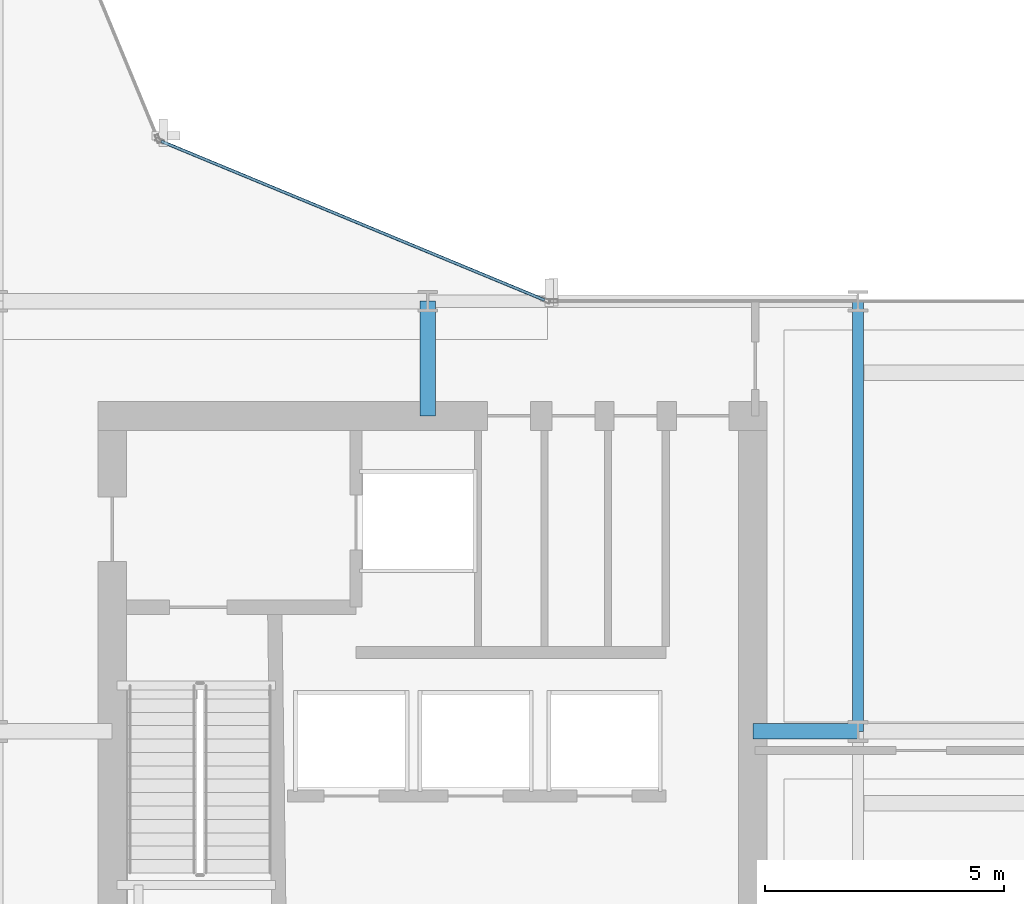
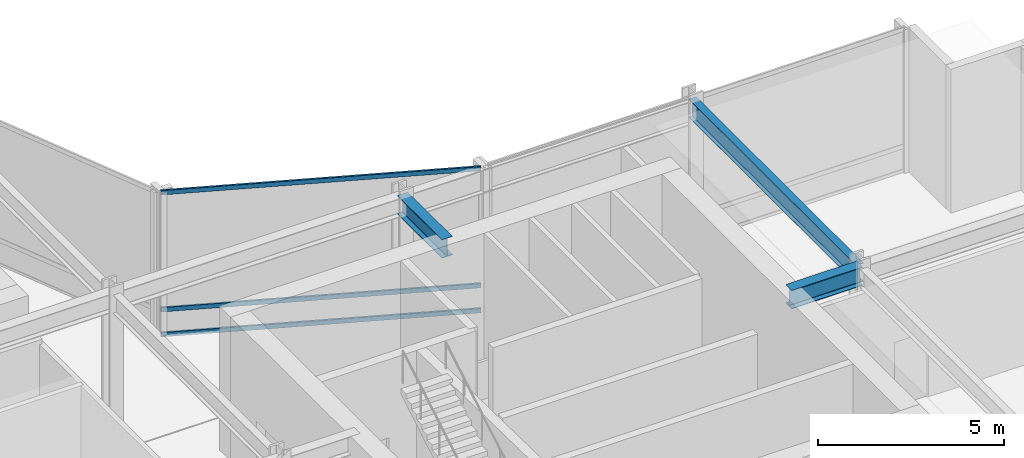
# One storey, part 12 of 33: 3 beams, 3 members, 1 element without a shape of its own.
"""IFC4 building model written with IfcOpenShell, lengths in metres."""

from ifc_helpers import new_model, si_unit, direction, frame, origin, origin_2d, place, context, subcontext, project, spatial, hollow_rectangle, i_section, extrude, material, layer, layer_set, material_profile, profile_set, type_object, element, aggregate, save


model = new_model("IFC4")

# Units and contexts
model_context = context("Model", 3, precision=1e-05, world=origin(), true_north=direction((0.0, 1.0)))
body_context = subcontext(model_context, "Body", "Model", "MODEL_VIEW")
ifc_project = project(units=[si_unit("LENGTHUNIT", "METRE"), si_unit("AREAUNIT", "SQUARE_METRE"), si_unit("VOLUMEUNIT", "CUBIC_METRE"), si_unit("PLANEANGLEUNIT", "RADIAN"), si_unit("MASSUNIT", "GRAM", prefix="KILO")], contexts=[model_context])

# Site, building, storey
site_placement = place(None, origin())
site = spatial("IfcSite", under=ifc_project, at=site_placement, CompositionType="ELEMENT")
building_placement = place(site_placement, origin())
building = spatial("IfcBuilding", under=site, at=building_placement, Name="Solvaryn Broadcast Tower", CompositionType="ELEMENT")
storey_placement = place(building_placement, frame((0.0, 0.0, 105.0)))
storey = spatial("IfcBuildingStorey", under=building, at=storey_placement, Name="L25", CompositionType="ELEMENT", Elevation=105.0)

# Beams
ifc_material_1 = material(Name="Steel ASTM A992 Grade 50", Category="steel")
ifc_material_profile_1 = material_profile(ifc_material_1, i_section(OverallWidth=0.323974609375, OverallDepth=0.611083984375, WebThickness=0.0126953125, FlangeThickness=0.01904296875, FilletRadius=0.014892578125, at=origin_2d()))
ifc_profile_set_1 = profile_set([ifc_material_profile_1], Name="Steel ASTM A992 Grade 50")
beam_type_1 = type_object("IfcBeamType", Name="BM-B1-W24X104", PredefinedType="BEAM", material=ifc_profile_set_1)
beam_1_placement = place(storey_placement, frame((36.0, 24.60009765625, 4.41455078125), z_axis=(0.0, 1.0, 0.0), x_axis=(-1.0, 0.0, 0.0)))
element("IfcBeam", 1, at=beam_1_placement, inside=storey, type_object=beam_type_1, Name="L25 Core Tie Beam CTE2", PredefinedType="BEAM", context=body_context, shape_type="SweptSolid", body=[
    extrude(i_section(OverallWidth=0.323974609375, OverallDepth=0.611083984375, WebThickness=0.0126953125, FlangeThickness=0.01904296875, FilletRadius=0.014892578125, at=origin_2d()), origin(), (0.0, 0.0, 1.0), 2.39990234375),
])
beam_2_placement = place(storey_placement, frame((42.800048828125, 18.0, 4.41455078125), z_axis=(1.0, 0.0, 0.0), x_axis=(0.0, 1.0, 0.0)))
element("IfcBeam", 2, at=beam_2_placement, inside=storey, type_object=beam_type_1, Name="L25 Core Tie Beam CTE3", PredefinedType="BEAM", context=body_context, shape_type="SweptSolid", body=[
    extrude(i_section(OverallWidth=0.323974609375, OverallDepth=0.611083984375, WebThickness=0.0126953125, FlangeThickness=0.01904296875, FilletRadius=0.014892578125, at=origin_2d()), origin(), (0.0, 0.0, 1.0), 2.199951171875),
])
ifc_material_2 = material(Name="Steel ASTM A992 Grade 50", Category="steel")
ifc_material_profile_2 = material_profile(ifc_material_2, i_section(OverallWidth=0.22802734375, OverallDepth=0.60791015625, WebThickness=0.01123046875, FlangeThickness=0.017333984375, FilletRadius=0.014892578125, at=origin_2d()))
ifc_profile_set_2 = profile_set([ifc_material_profile_2], Name="Steel ASTM A992 Grade 50")
beam_type_2 = type_object("IfcBeamType", Name="BM-B2-W24X76", PredefinedType="BEAM", material=ifc_profile_set_2)
beam_3_placement = place(storey_placement, frame((45.0, 18.0, 4.416015625), z_axis=(0.0, 1.0, 0.0), x_axis=(-1.0, 0.0, 0.0)))
element("IfcBeam", 3, at=beam_3_placement, inside=storey, type_object=beam_type_2, Name="L25 Primary Beam Y (18-27 @ X=45)", PredefinedType="BEAM", context=body_context, shape_type="SweptSolid", body=[
    extrude(i_section(OverallWidth=0.22802734375, OverallDepth=0.60791015625, WebThickness=0.01123046875, FlangeThickness=0.017333984375, FilletRadius=0.014892578125, at=origin_2d()), origin(), (0.0, 0.0, 1.0), 9.0),
])

# Curtain wall, members
ifc_material_3 = material(Name="Aluminium and Terracotta Unitised Curtain Wall", Category="masonry")
ifc_layer = layer(ifc_material_3, 0.25)
ifc_layer_set = layer_set([ifc_layer], Name="CW-SYS4-SKYGARDEN")
curtain_wall_type = type_object("IfcCurtainWallType", Name="CW-SYS4-SKYGARDEN", PredefinedType="NOTDEFINED", material=ifc_layer_set)
curtain_wall_placement = place(storey_placement, origin())
curtain_wall = element("IfcCurtainWall", 4, at=curtain_wall_placement, inside=storey, type_object=curtain_wall_type, Name="L25 Curtain Wall CN1", PredefinedType="NOTDEFINED")
ifc_material_4 = material(Name="Anodised Aluminium 6063-T6", Category="aluminium")
ifc_material_profile_3 = material_profile(ifc_material_4, hollow_rectangle(XDim=0.06494140625, YDim=0.14990234375, WallThickness=0.00390625, InnerFilletRadius=0.00390625, OuterFilletRadius=0.008056640625, at=origin_2d()))
ifc_profile_set_3 = profile_set([ifc_material_profile_3], Name="Anodised Aluminium 6063-T6")
member_type = type_object("IfcMemberType", Name="CW-TRN-150", PredefinedType="USERDEFINED", material=ifc_profile_set_3)
member_1_placement = place(storey_placement, frame((38.444580078125, 27.02294921875, 0.030029296875), z_axis=(-0.923899282177, 0.382635748975, 0.0), x_axis=(-0.382635748975, -0.923899282177, 0.0)))
member_1 = element("IfcMember", 5, at=member_1_placement, type_object=member_type, Name="CWS4 transom 1.1", ObjectType="TRANSOM", PredefinedType="USERDEFINED", context=body_context, shape_type="SweptSolid", body=[
    extrude(hollow_rectangle(XDim=0.06494140625, YDim=0.14990234375, WallThickness=0.00390625, InnerFilletRadius=0.00390625, OuterFilletRadius=0.008056640625, at=origin_2d()), origin(), (0.0, 0.0, 1.0), 8.681884765625),
])
member_2_placement = place(storey_placement, frame((38.444580078125, 27.02294921875, 0.85009765625), z_axis=(-0.923899282177, 0.382635748975, 0.0), x_axis=(-0.382635748975, -0.923899282177, 0.0)))
member_2 = element("IfcMember", 6, at=member_2_placement, type_object=member_type, Name="CWS4 transom 1.2", ObjectType="TRANSOM", PredefinedType="USERDEFINED", context=body_context, shape_type="SweptSolid", body=[
    extrude(hollow_rectangle(XDim=0.06494140625, YDim=0.14990234375, WallThickness=0.00390625, InnerFilletRadius=0.00390625, OuterFilletRadius=0.008056640625, at=origin_2d()), origin(), (0.0, 0.0, 1.0), 8.681884765625),
])
member_3_placement = place(storey_placement, frame((38.444580078125, 27.02294921875, 4.68994140625), z_axis=(-0.923899282177, 0.382635748975, 0.0), x_axis=(-0.382635748975, -0.923899282177, 0.0)))
member_3 = element("IfcMember", 7, at=member_3_placement, type_object=member_type, Name="CWS4 transom 1.3", ObjectType="TRANSOM", PredefinedType="USERDEFINED", context=body_context, shape_type="SweptSolid", body=[
    extrude(hollow_rectangle(XDim=0.06494140625, YDim=0.14990234375, WallThickness=0.00390625, InnerFilletRadius=0.00390625, OuterFilletRadius=0.008056640625, at=origin_2d()), origin(), (0.0, 0.0, 1.0), 8.681884765625),
])
aggregate(curtain_wall, [member_1, member_2, member_3])

save(model, "model.ifc")
